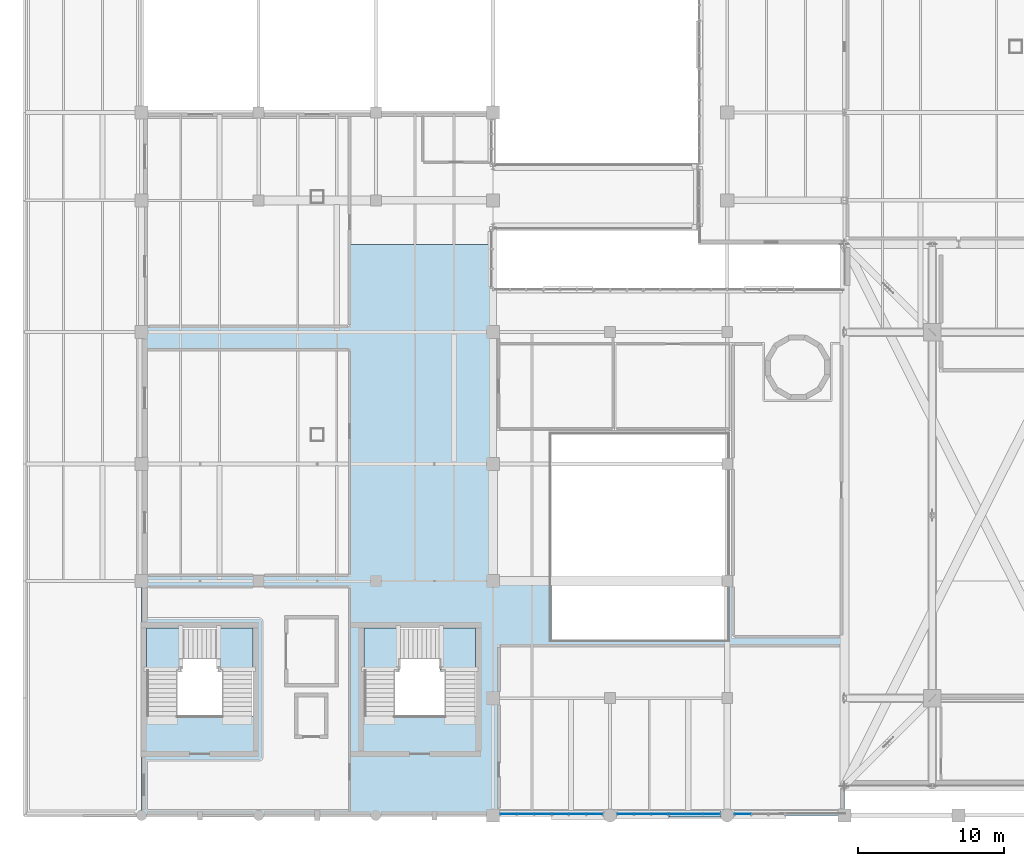
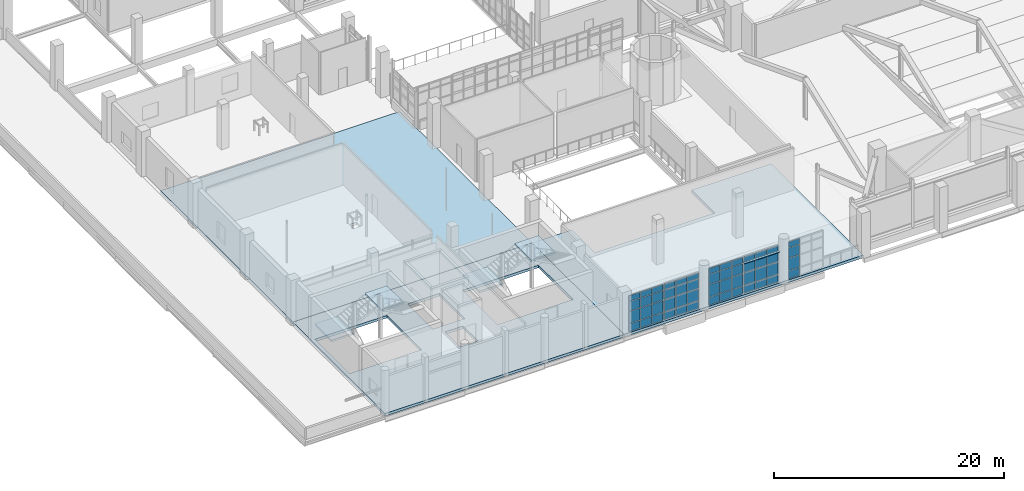
# One storey, part 84 of 127: 53 plates, 7 slabs, 7 elements without a shape of their own.
"""IFC4 building model written with IfcOpenShell, lengths in metres."""

from ifc_helpers import new_model, si_unit, derived_unit, direction, frame, origin, origin_2d, place, context, subcontext, project, spatial, polyline, rectangle, outline, extrude, material, layer, layer_set, type_object, element, aggregate, save


model = new_model("IFC4")

# Units and contexts
model_context = context("Model", 3, precision=1e-05, world=origin(), true_north=direction((0.0, 1.0)))
body_context = subcontext(model_context, "Body", "Model", "MODEL_VIEW")
ifc_project = project(units=[si_unit("LENGTHUNIT", "METRE"), si_unit("AREAUNIT", "SQUARE_METRE"), si_unit("VOLUMEUNIT", "CUBIC_METRE"), si_unit("PLANEANGLEUNIT", "RADIAN"), si_unit("MASSUNIT", "GRAM", prefix="KILO"), derived_unit("THERMALTRANSMITTANCEUNIT", [(si_unit("POWERUNIT", "WATT"), 1), (si_unit("LENGTHUNIT", "METRE"), -2), (si_unit("THERMODYNAMICTEMPERATUREUNIT", "KELVIN"), -1)])], contexts=[model_context])

# Site, building, storey
site_placement = place(None, origin())
site = spatial("IfcSite", under=ifc_project, at=site_placement, CompositionType="ELEMENT")
building_placement = place(site_placement, origin())
building = spatial("IfcBuilding", under=site, at=building_placement, Name="Nallur Shell Playhouse", CompositionType="ELEMENT")
storey_placement = place(building_placement, frame((0.0, 0.0, 5.39990234375)))
storey = spatial("IfcBuildingStorey", under=building, at=storey_placement, Name="L02", CompositionType="ELEMENT", Elevation=5.39990234375)

# Curtain wall, plates
ifc_material_1 = material(Name="Anodised Aluminium Double-Glazed Facade System", Category="aluminium")
ifc_layer_1 = layer(ifc_material_1, 0.1640625)
ifc_layer_set_1 = layer_set([ifc_layer_1], Name="Anodised Aluminium Double-Glazed Facade System")
curtain_wall_type_1 = type_object("IfcCurtainWallType", Name="CW-UNIT-19", PredefinedType="NOTDEFINED", material=ifc_layer_set_1)
curtain_wall_1_placement = place(storey_placement, origin())
curtain_wall_1 = element("IfcCurtainWall", 1, at=curtain_wall_1_placement, inside=storey, type_object=curtain_wall_type_1, Name="Unitised curtain wall CW-051 (L02)", PredefinedType="NOTDEFINED")
ifc_material_2 = material(Name="Solar-Control Low-E Laminated Insulating Glass", Category="glass")
ifc_layer_2 = layer(ifc_material_2, 0.030029296875)
ifc_layer_set_2 = layer_set([ifc_layer_2], Name="Solar-Control Low-E Laminated Insulating Glass")
plate_type_1 = type_object("IfcPlateType", Name="PT-GLZ-03", PredefinedType="CURTAIN_PANEL", material=ifc_layer_set_2)
plate_1_placement = place(storey_placement, frame((57.066162109375, 8.090087890625, 0.05712890625), z_axis=(0.0, 0.0, 1.0), x_axis=(-1.0, 0.0, 0.0)))
plate_1 = element("IfcPlate", 2, at=plate_1_placement, type_object=plate_type_1, Name="CW-19 panel 3.1", PredefinedType="CURTAIN_PANEL", context=body_context, shape_type="SweptSolid", body=[
    extrude(rectangle(XDim=1.08251953125, YDim=0.030029296875, at=origin_2d()), origin(), (0.0, 0.0, 1.0), 0.818603515625),
])
plate_2_placement = place(storey_placement, frame((57.066162109375, 8.090087890625, 0.9248046875), z_axis=(0.0, 0.0, 1.0), x_axis=(-1.0, 0.0, 0.0)))
plate_2 = element("IfcPlate", 3, at=plate_2_placement, type_object=plate_type_1, Name="CW-19 panel 3.2", PredefinedType="CURTAIN_PANEL", context=body_context, shape_type="SweptSolid", body=[
    extrude(rectangle(XDim=1.08251953125, YDim=0.030029296875, at=origin_2d()), origin(), (0.0, 0.0, 1.0), 1.299072265625),
])
plate_3_placement = place(storey_placement, frame((57.066162109375, 8.090087890625, 2.2724609375), z_axis=(0.0, 0.0, 1.0), x_axis=(-1.0, 0.0, 0.0)))
plate_3 = element("IfcPlate", 4, at=plate_3_placement, type_object=plate_type_1, Name="CW-19 panel 3.3", PredefinedType="CURTAIN_PANEL", context=body_context, shape_type="SweptSolid", body=[
    extrude(rectangle(XDim=1.08251953125, YDim=0.030029296875, at=origin_2d()), origin(), (0.0, 0.0, 1.0), 1.0380859375),
])
plate_4_placement = place(storey_placement, frame((57.066162109375, 8.090087890625, 3.35986328125), z_axis=(0.0, 0.0, 1.0), x_axis=(-1.0, 0.0, 0.0)))
plate_4 = element("IfcPlate", 5, at=plate_4_placement, type_object=plate_type_1, Name="CW-19 panel 3.4", PredefinedType="CURTAIN_PANEL", context=body_context, shape_type="SweptSolid", body=[
    extrude(rectangle(XDim=1.08251953125, YDim=0.030029296875, at=origin_2d()), origin(), (0.0, 0.0, 1.0), 0.598388671875),
])
aggregate(curtain_wall_1, [plate_1, plate_2, plate_3, plate_4])

ifc_layer_3 = layer(ifc_material_1, 0.16796875)
ifc_layer_set_3 = layer_set([ifc_layer_3], Name="Anodised Aluminium Double-Glazed Facade System")
curtain_wall_type_2 = type_object("IfcCurtainWallType", Name="CW-UNIT-20", PredefinedType="NOTDEFINED", material=ifc_layer_set_3)
curtain_wall_2_placement = place(storey_placement, origin())
curtain_wall_2 = element("IfcCurtainWall", 6, at=curtain_wall_2_placement, inside=storey, type_object=curtain_wall_type_2, Name="Unitised curtain wall CW-052 (L02)", PredefinedType="NOTDEFINED")
ifc_layer_4 = layer(ifc_material_2, 0.031982421875)
ifc_layer_set_4 = layer_set([ifc_layer_4], Name="Solar-Control Low-E Laminated Insulating Glass")
plate_type_2 = type_object("IfcPlateType", Name="PT-GLZ-04", PredefinedType="CURTAIN_PANEL", material=ifc_layer_set_4)
plate_5_placement = place(storey_placement, frame((54.936279296875, 8.090087890625, 0.092041015625), z_axis=(0.0, 0.0, 1.0), x_axis=(-1.0, 0.0, 0.0)))
plate_5 = element("IfcPlate", 7, at=plate_5_placement, type_object=plate_type_2, Name="CW-20 panel 1.1", PredefinedType="CURTAIN_PANEL", context=body_context, shape_type="SweptSolid", body=[
    extrude(rectangle(XDim=1.097412109375, YDim=0.031982421875, at=origin_2d()), origin(), (0.0, 0.0, 1.0), 0.76611328125),
])
plate_6_placement = place(storey_placement, frame((54.936279296875, 8.090087890625, 0.942138671875), z_axis=(0.0, 0.0, 1.0), x_axis=(-1.0, 0.0, 0.0)))
plate_6 = element("IfcPlate", 8, at=plate_6_placement, type_object=plate_type_2, Name="CW-20 panel 1.2", PredefinedType="CURTAIN_PANEL", context=body_context, shape_type="SweptSolid", body=[
    extrude(rectangle(XDim=1.097412109375, YDim=0.031982421875, at=origin_2d()), origin(), (0.0, 0.0, 1.0), 1.27001953125),
])
plate_7_placement = place(storey_placement, frame((54.936279296875, 8.090087890625, 2.2958984375), z_axis=(0.0, 0.0, 1.0), x_axis=(-1.0, 0.0, 0.0)))
plate_7 = element("IfcPlate", 9, at=plate_7_placement, type_object=plate_type_2, Name="CW-20 panel 1.3", PredefinedType="CURTAIN_PANEL", context=body_context, shape_type="SweptSolid", body=[
    extrude(rectangle(XDim=1.097412109375, YDim=0.031982421875, at=origin_2d()), origin(), (0.0, 0.0, 1.0), 1.007080078125),
])
plate_8_placement = place(storey_placement, frame((54.936279296875, 8.090087890625, 3.38720703125), z_axis=(0.0, 0.0, 1.0), x_axis=(-1.0, 0.0, 0.0)))
plate_8 = element("IfcPlate", 10, at=plate_8_placement, type_object=plate_type_2, Name="CW-20 panel 1.4", PredefinedType="CURTAIN_PANEL", context=body_context, shape_type="SweptSolid", body=[
    extrude(rectangle(XDim=1.097412109375, YDim=0.031982421875, at=origin_2d()), origin(), (0.0, 0.0, 1.0), 0.5458984375),
])
plate_9_placement = place(storey_placement, frame((53.7734375, 8.090087890625, 0.092041015625), z_axis=(0.0, 0.0, 1.0), x_axis=(-1.0, 0.0, 0.0)))
plate_9 = element("IfcPlate", 11, at=plate_9_placement, type_object=plate_type_2, Name="CW-20 panel 2.1", PredefinedType="CURTAIN_PANEL", context=body_context, shape_type="SweptSolid", body=[
    extrude(rectangle(XDim=1.1298828125, YDim=0.031982421875, at=origin_2d()), origin(), (0.0, 0.0, 1.0), 0.76611328125),
])
plate_10_placement = place(storey_placement, frame((53.7734375, 8.090087890625, 0.942138671875), z_axis=(0.0, 0.0, 1.0), x_axis=(-1.0, 0.0, 0.0)))
plate_10 = element("IfcPlate", 12, at=plate_10_placement, type_object=plate_type_2, Name="CW-20 panel 2.2", PredefinedType="CURTAIN_PANEL", context=body_context, shape_type="SweptSolid", body=[
    extrude(rectangle(XDim=1.1298828125, YDim=0.031982421875, at=origin_2d()), origin(), (0.0, 0.0, 1.0), 1.27001953125),
])
plate_11_placement = place(storey_placement, frame((53.7734375, 8.090087890625, 2.2958984375), z_axis=(0.0, 0.0, 1.0), x_axis=(-1.0, 0.0, 0.0)))
plate_11 = element("IfcPlate", 13, at=plate_11_placement, type_object=plate_type_2, Name="CW-20 panel 2.3", PredefinedType="CURTAIN_PANEL", context=body_context, shape_type="SweptSolid", body=[
    extrude(rectangle(XDim=1.1298828125, YDim=0.031982421875, at=origin_2d()), origin(), (0.0, 0.0, 1.0), 1.007080078125),
])
plate_12_placement = place(storey_placement, frame((53.7734375, 8.090087890625, 3.38720703125), z_axis=(0.0, 0.0, 1.0), x_axis=(-1.0, 0.0, 0.0)))
plate_12 = element("IfcPlate", 14, at=plate_12_placement, type_object=plate_type_2, Name="CW-20 panel 2.4", PredefinedType="CURTAIN_PANEL", context=body_context, shape_type="SweptSolid", body=[
    extrude(rectangle(XDim=1.1298828125, YDim=0.031982421875, at=origin_2d()), origin(), (0.0, 0.0, 1.0), 0.5458984375),
])
plate_13_placement = place(storey_placement, frame((52.61083984375, 8.090087890625, 0.092041015625), z_axis=(0.0, 0.0, 1.0), x_axis=(-1.0, 0.0, 0.0)))
plate_13 = element("IfcPlate", 15, at=plate_13_placement, type_object=plate_type_2, Name="CW-20 panel 3.1", PredefinedType="CURTAIN_PANEL", context=body_context, shape_type="SweptSolid", body=[
    extrude(rectangle(XDim=1.097412109375, YDim=0.031982421875, at=origin_2d()), origin(), (0.0, 0.0, 1.0), 0.76611328125),
])
plate_14_placement = place(storey_placement, frame((52.61083984375, 8.090087890625, 0.942138671875), z_axis=(0.0, 0.0, 1.0), x_axis=(-1.0, 0.0, 0.0)))
plate_14 = element("IfcPlate", 16, at=plate_14_placement, type_object=plate_type_2, Name="CW-20 panel 3.2", PredefinedType="CURTAIN_PANEL", context=body_context, shape_type="SweptSolid", body=[
    extrude(rectangle(XDim=1.097412109375, YDim=0.031982421875, at=origin_2d()), origin(), (0.0, 0.0, 1.0), 1.27001953125),
])
plate_15_placement = place(storey_placement, frame((52.61083984375, 8.090087890625, 2.2958984375), z_axis=(0.0, 0.0, 1.0), x_axis=(-1.0, 0.0, 0.0)))
plate_15 = element("IfcPlate", 17, at=plate_15_placement, type_object=plate_type_2, Name="CW-20 panel 3.3", PredefinedType="CURTAIN_PANEL", context=body_context, shape_type="SweptSolid", body=[
    extrude(rectangle(XDim=1.097412109375, YDim=0.031982421875, at=origin_2d()), origin(), (0.0, 0.0, 1.0), 1.007080078125),
])
plate_16_placement = place(storey_placement, frame((52.61083984375, 8.090087890625, 3.38720703125), z_axis=(0.0, 0.0, 1.0), x_axis=(-1.0, 0.0, 0.0)))
plate_16 = element("IfcPlate", 18, at=plate_16_placement, type_object=plate_type_2, Name="CW-20 panel 3.4", PredefinedType="CURTAIN_PANEL", context=body_context, shape_type="SweptSolid", body=[
    extrude(rectangle(XDim=1.097412109375, YDim=0.031982421875, at=origin_2d()), origin(), (0.0, 0.0, 1.0), 0.5458984375),
])
aggregate(curtain_wall_2, [plate_5, plate_6, plate_7, plate_8, plate_9, plate_10, plate_11, plate_12, plate_13, plate_14, plate_15, plate_16])

ifc_layer_5 = layer(ifc_material_1, 0.172119140625)
ifc_layer_set_5 = layer_set([ifc_layer_5], Name="Anodised Aluminium Double-Glazed Facade System")
curtain_wall_type_3 = type_object("IfcCurtainWallType", Name="CW-UNIT-21", PredefinedType="NOTDEFINED", material=ifc_layer_set_5)
curtain_wall_3_placement = place(storey_placement, origin())
curtain_wall_3 = element("IfcCurtainWall", 19, at=curtain_wall_3_placement, inside=storey, type_object=curtain_wall_type_3, Name="Unitised curtain wall CW-053 (L02)", PredefinedType="NOTDEFINED")
ifc_layer_6 = layer(ifc_material_2, 0.033935546875)
ifc_layer_set_6 = layer_set([ifc_layer_6], Name="Solar-Control Low-E Laminated Insulating Glass")
plate_type_3 = type_object("IfcPlateType", Name="PT-GLZ-05", PredefinedType="CURTAIN_PANEL", material=ifc_layer_set_6)
plate_17_placement = place(storey_placement, frame((51.385498046875, 8.090087890625, 0.05712890625), z_axis=(0.0, 0.0, 1.0), x_axis=(-1.0, 0.0, 0.0)))
plate_17 = element("IfcPlate", 20, at=plate_17_placement, type_object=plate_type_3, Name="CW-21 panel 1.1", PredefinedType="CURTAIN_PANEL", context=body_context, shape_type="SweptSolid", body=[
    extrude(rectangle(XDim=1.074951171875, YDim=0.033935546875, at=origin_2d()), origin(), (0.0, 0.0, 1.0), 0.818603515625),
])
plate_18_placement = place(storey_placement, frame((51.385498046875, 8.090087890625, 0.924560546875), z_axis=(0.0, 0.0, 1.0), x_axis=(-1.0, 0.0, 0.0)))
plate_18 = element("IfcPlate", 21, at=plate_18_placement, type_object=plate_type_3, Name="CW-21 panel 1.2", PredefinedType="CURTAIN_PANEL", context=body_context, shape_type="SweptSolid", body=[
    extrude(rectangle(XDim=1.074951171875, YDim=0.033935546875, at=origin_2d()), origin(), (0.0, 0.0, 1.0), 1.2939453125),
])
plate_19_placement = place(storey_placement, frame((51.385498046875, 8.090087890625, 2.267578125), z_axis=(0.0, 0.0, 1.0), x_axis=(-1.0, 0.0, 0.0)))
plate_19 = element("IfcPlate", 22, at=plate_19_placement, type_object=plate_type_3, Name="CW-21 panel 1.3", PredefinedType="CURTAIN_PANEL", context=body_context, shape_type="SweptSolid", body=[
    extrude(rectangle(XDim=1.074951171875, YDim=0.033935546875, at=origin_2d()), origin(), (0.0, 0.0, 1.0), 1.032958984375),
])
plate_20_placement = place(storey_placement, frame((51.385498046875, 8.090087890625, 3.349609375), z_axis=(0.0, 0.0, 1.0), x_axis=(-1.0, 0.0, 0.0)))
plate_20 = element("IfcPlate", 23, at=plate_20_placement, type_object=plate_type_3, Name="CW-21 panel 1.4", PredefinedType="CURTAIN_PANEL", context=body_context, shape_type="SweptSolid", body=[
    extrude(rectangle(XDim=1.074951171875, YDim=0.033935546875, at=origin_2d()), origin(), (0.0, 0.0, 1.0), 0.598388671875),
])
plate_21_placement = place(storey_placement, frame((50.2265625, 8.090087890625, 0.05712890625), z_axis=(0.0, 0.0, 1.0), x_axis=(-1.0, 0.0, 0.0)))
plate_21 = element("IfcPlate", 24, at=plate_21_placement, type_object=plate_type_3, Name="CW-21 panel 2.1", PredefinedType="CURTAIN_PANEL", context=body_context, shape_type="SweptSolid", body=[
    extrude(rectangle(XDim=1.114990234375, YDim=0.033935546875, at=origin_2d()), origin(), (0.0, 0.0, 1.0), 0.818603515625),
])
plate_22_placement = place(storey_placement, frame((50.2265625, 8.090087890625, 0.924560546875), z_axis=(0.0, 0.0, 1.0), x_axis=(-1.0, 0.0, 0.0)))
plate_22 = element("IfcPlate", 25, at=plate_22_placement, type_object=plate_type_3, Name="CW-21 panel 2.2", PredefinedType="CURTAIN_PANEL", context=body_context, shape_type="SweptSolid", body=[
    extrude(rectangle(XDim=1.114990234375, YDim=0.033935546875, at=origin_2d()), origin(), (0.0, 0.0, 1.0), 1.2939453125),
])
plate_23_placement = place(storey_placement, frame((50.2265625, 8.090087890625, 2.267578125), z_axis=(0.0, 0.0, 1.0), x_axis=(-1.0, 0.0, 0.0)))
plate_23 = element("IfcPlate", 26, at=plate_23_placement, type_object=plate_type_3, Name="CW-21 panel 2.3", PredefinedType="CURTAIN_PANEL", context=body_context, shape_type="SweptSolid", body=[
    extrude(rectangle(XDim=1.114990234375, YDim=0.033935546875, at=origin_2d()), origin(), (0.0, 0.0, 1.0), 1.032958984375),
])
plate_24_placement = place(storey_placement, frame((50.2265625, 8.090087890625, 3.349609375), z_axis=(0.0, 0.0, 1.0), x_axis=(-1.0, 0.0, 0.0)))
plate_24 = element("IfcPlate", 27, at=plate_24_placement, type_object=plate_type_3, Name="CW-21 panel 2.4", PredefinedType="CURTAIN_PANEL", context=body_context, shape_type="SweptSolid", body=[
    extrude(rectangle(XDim=1.114990234375, YDim=0.033935546875, at=origin_2d()), origin(), (0.0, 0.0, 1.0), 0.598388671875),
])
plate_25_placement = place(storey_placement, frame((49.0673828125, 8.090087890625, 0.05712890625), z_axis=(0.0, 0.0, 1.0), x_axis=(-1.0, 0.0, 0.0)))
plate_25 = element("IfcPlate", 28, at=plate_25_placement, type_object=plate_type_3, Name="CW-21 panel 3.1", PredefinedType="CURTAIN_PANEL", context=body_context, shape_type="SweptSolid", body=[
    extrude(rectangle(XDim=1.074951171875, YDim=0.033935546875, at=origin_2d()), origin(), (0.0, 0.0, 1.0), 0.818603515625),
])
plate_26_placement = place(storey_placement, frame((49.0673828125, 8.090087890625, 0.924560546875), z_axis=(0.0, 0.0, 1.0), x_axis=(-1.0, 0.0, 0.0)))
plate_26 = element("IfcPlate", 29, at=plate_26_placement, type_object=plate_type_3, Name="CW-21 panel 3.2", PredefinedType="CURTAIN_PANEL", context=body_context, shape_type="SweptSolid", body=[
    extrude(rectangle(XDim=1.074951171875, YDim=0.033935546875, at=origin_2d()), origin(), (0.0, 0.0, 1.0), 1.2939453125),
])
plate_27_placement = place(storey_placement, frame((49.0673828125, 8.090087890625, 2.267578125), z_axis=(0.0, 0.0, 1.0), x_axis=(-1.0, 0.0, 0.0)))
plate_27 = element("IfcPlate", 30, at=plate_27_placement, type_object=plate_type_3, Name="CW-21 panel 3.3", PredefinedType="CURTAIN_PANEL", context=body_context, shape_type="SweptSolid", body=[
    extrude(rectangle(XDim=1.074951171875, YDim=0.033935546875, at=origin_2d()), origin(), (0.0, 0.0, 1.0), 1.032958984375),
])
plate_28_placement = place(storey_placement, frame((49.0673828125, 8.090087890625, 3.349609375), z_axis=(0.0, 0.0, 1.0), x_axis=(-1.0, 0.0, 0.0)))
plate_28 = element("IfcPlate", 31, at=plate_28_placement, type_object=plate_type_3, Name="CW-21 panel 3.4", PredefinedType="CURTAIN_PANEL", context=body_context, shape_type="SweptSolid", body=[
    extrude(rectangle(XDim=1.074951171875, YDim=0.033935546875, at=origin_2d()), origin(), (0.0, 0.0, 1.0), 0.598388671875),
])
aggregate(curtain_wall_3, [plate_17, plate_18, plate_19, plate_20, plate_21, plate_22, plate_23, plate_24, plate_25, plate_26, plate_27, plate_28])

ifc_layer_7 = layer(ifc_material_1, 0.176025390625)
ifc_layer_set_7 = layer_set([ifc_layer_7], Name="Anodised Aluminium Double-Glazed Facade System")
curtain_wall_type_4 = type_object("IfcCurtainWallType", Name="CW-UNIT-22", PredefinedType="NOTDEFINED", material=ifc_layer_set_7)
curtain_wall_4_placement = place(storey_placement, origin())
curtain_wall_4 = element("IfcCurtainWall", 32, at=curtain_wall_4_placement, inside=storey, type_object=curtain_wall_type_4, Name="Unitised curtain wall CW-054 (L02)", PredefinedType="NOTDEFINED")
ifc_layer_8 = layer(ifc_material_2, 0.035888671875)
ifc_layer_set_8 = layer_set([ifc_layer_8], Name="Solar-Control Low-E Laminated Insulating Glass")
plate_type_4 = type_object("IfcPlateType", Name="PT-GLZ-06", PredefinedType="CURTAIN_PANEL", material=ifc_layer_set_8)
plate_29_placement = place(storey_placement, frame((46.933837890625, 8.090087890625, 0.092041015625), z_axis=(0.0, 0.0, 1.0), x_axis=(-1.0, 0.0, 0.0)))
plate_29 = element("IfcPlate", 33, at=plate_29_placement, type_object=plate_type_4, Name="CW-22 panel 1.1", PredefinedType="CURTAIN_PANEL", context=body_context, shape_type="SweptSolid", body=[
    extrude(rectangle(XDim=1.08251953125, YDim=0.035888671875, at=origin_2d()), origin(), (0.0, 0.0, 1.0), 0.76611328125),
])
plate_30_placement = place(storey_placement, frame((46.933837890625, 8.090087890625, 0.94189453125), z_axis=(0.0, 0.0, 1.0), x_axis=(-1.0, 0.0, 0.0)))
plate_30 = element("IfcPlate", 34, at=plate_30_placement, type_object=plate_type_4, Name="CW-22 panel 1.2", PredefinedType="CURTAIN_PANEL", context=body_context, shape_type="SweptSolid", body=[
    extrude(rectangle(XDim=1.08251953125, YDim=0.035888671875, at=origin_2d()), origin(), (0.0, 0.0, 1.0), 1.219970703125),
])
plate_31_placement = place(storey_placement, frame((46.933837890625, 8.090087890625, 2.24609375), z_axis=(0.0, 0.0, 1.0), x_axis=(-1.0, 0.0, 0.0)))
plate_31 = element("IfcPlate", 35, at=plate_31_placement, type_object=plate_type_4, Name="CW-22 panel 1.3", PredefinedType="CURTAIN_PANEL", context=body_context, shape_type="SweptSolid", body=[
    extrude(rectangle(XDim=1.08251953125, YDim=0.035888671875, at=origin_2d()), origin(), (0.0, 0.0, 1.0), 0.967041015625),
])
plate_32_placement = place(storey_placement, frame((46.933837890625, 8.090087890625, 3.297119140625), z_axis=(0.0, 0.0, 1.0), x_axis=(-1.0, 0.0, 0.0)))
plate_32 = element("IfcPlate", 36, at=plate_32_placement, type_object=plate_type_4, Name="CW-22 panel 1.4", PredefinedType="CURTAIN_PANEL", context=body_context, shape_type="SweptSolid", body=[
    extrude(rectangle(XDim=1.08251953125, YDim=0.035888671875, at=origin_2d()), origin(), (0.0, 0.0, 1.0), 0.5458984375),
])
plate_33_placement = place(storey_placement, frame((45.7734375, 8.090087890625, 0.092041015625), z_axis=(0.0, 0.0, 1.0), x_axis=(-1.0, 0.0, 0.0)))
plate_33 = element("IfcPlate", 37, at=plate_33_placement, type_object=plate_type_4, Name="CW-22 panel 2.1", PredefinedType="CURTAIN_PANEL", context=body_context, shape_type="SweptSolid", body=[
    extrude(rectangle(XDim=1.1201171875, YDim=0.035888671875, at=origin_2d()), origin(), (0.0, 0.0, 1.0), 0.76611328125),
])
plate_34_placement = place(storey_placement, frame((45.7734375, 8.090087890625, 0.94189453125), z_axis=(0.0, 0.0, 1.0), x_axis=(-1.0, 0.0, 0.0)))
plate_34 = element("IfcPlate", 38, at=plate_34_placement, type_object=plate_type_4, Name="CW-22 panel 2.2", PredefinedType="CURTAIN_PANEL", context=body_context, shape_type="SweptSolid", body=[
    extrude(rectangle(XDim=1.1201171875, YDim=0.035888671875, at=origin_2d()), origin(), (0.0, 0.0, 1.0), 1.219970703125),
])
plate_35_placement = place(storey_placement, frame((45.7734375, 8.090087890625, 2.24609375), z_axis=(0.0, 0.0, 1.0), x_axis=(-1.0, 0.0, 0.0)))
plate_35 = element("IfcPlate", 39, at=plate_35_placement, type_object=plate_type_4, Name="CW-22 panel 2.3", PredefinedType="CURTAIN_PANEL", context=body_context, shape_type="SweptSolid", body=[
    extrude(rectangle(XDim=1.1201171875, YDim=0.035888671875, at=origin_2d()), origin(), (0.0, 0.0, 1.0), 0.967041015625),
])
plate_36_placement = place(storey_placement, frame((45.7734375, 8.090087890625, 3.297119140625), z_axis=(0.0, 0.0, 1.0), x_axis=(-1.0, 0.0, 0.0)))
plate_36 = element("IfcPlate", 40, at=plate_36_placement, type_object=plate_type_4, Name="CW-22 panel 2.4", PredefinedType="CURTAIN_PANEL", context=body_context, shape_type="SweptSolid", body=[
    extrude(rectangle(XDim=1.1201171875, YDim=0.035888671875, at=origin_2d()), origin(), (0.0, 0.0, 1.0), 0.5458984375),
])
plate_37_placement = place(storey_placement, frame((44.61328125, 8.090087890625, 0.092041015625), z_axis=(0.0, 0.0, 1.0), x_axis=(-1.0, 0.0, 0.0)))
plate_37 = element("IfcPlate", 41, at=plate_37_placement, type_object=plate_type_4, Name="CW-22 panel 3.1", PredefinedType="CURTAIN_PANEL", context=body_context, shape_type="SweptSolid", body=[
    extrude(rectangle(XDim=1.08251953125, YDim=0.035888671875, at=origin_2d()), origin(), (0.0, 0.0, 1.0), 0.76611328125),
])
plate_38_placement = place(storey_placement, frame((44.61328125, 8.090087890625, 0.94189453125), z_axis=(0.0, 0.0, 1.0), x_axis=(-1.0, 0.0, 0.0)))
plate_38 = element("IfcPlate", 42, at=plate_38_placement, type_object=plate_type_4, Name="CW-22 panel 3.2", PredefinedType="CURTAIN_PANEL", context=body_context, shape_type="SweptSolid", body=[
    extrude(rectangle(XDim=1.08251953125, YDim=0.035888671875, at=origin_2d()), origin(), (0.0, 0.0, 1.0), 1.219970703125),
])
plate_39_placement = place(storey_placement, frame((44.61328125, 8.090087890625, 2.24609375), z_axis=(0.0, 0.0, 1.0), x_axis=(-1.0, 0.0, 0.0)))
plate_39 = element("IfcPlate", 43, at=plate_39_placement, type_object=plate_type_4, Name="CW-22 panel 3.3", PredefinedType="CURTAIN_PANEL", context=body_context, shape_type="SweptSolid", body=[
    extrude(rectangle(XDim=1.08251953125, YDim=0.035888671875, at=origin_2d()), origin(), (0.0, 0.0, 1.0), 0.967041015625),
])
plate_40_placement = place(storey_placement, frame((44.61328125, 8.090087890625, 3.297119140625), z_axis=(0.0, 0.0, 1.0), x_axis=(-1.0, 0.0, 0.0)))
plate_40 = element("IfcPlate", 44, at=plate_40_placement, type_object=plate_type_4, Name="CW-22 panel 3.4", PredefinedType="CURTAIN_PANEL", context=body_context, shape_type="SweptSolid", body=[
    extrude(rectangle(XDim=1.08251953125, YDim=0.035888671875, at=origin_2d()), origin(), (0.0, 0.0, 1.0), 0.5458984375),
])
aggregate(curtain_wall_4, [plate_29, plate_30, plate_31, plate_32, plate_33, plate_34, plate_35, plate_36, plate_37, plate_38, plate_39, plate_40])

ifc_layer_9 = layer(ifc_material_1, 0.179931640625)
ifc_layer_set_9 = layer_set([ifc_layer_9], Name="Anodised Aluminium Double-Glazed Facade System")
curtain_wall_type_5 = type_object("IfcCurtainWallType", Name="CW-UNIT-23", PredefinedType="NOTDEFINED", material=ifc_layer_set_9)
curtain_wall_5_placement = place(storey_placement, origin())
curtain_wall_5 = element("IfcCurtainWall", 45, at=curtain_wall_5_placement, inside=storey, type_object=curtain_wall_type_5, Name="Unitised curtain wall CW-055 (L02)", PredefinedType="NOTDEFINED")
ifc_layer_10 = layer(ifc_material_2, 0.0380859375)
ifc_layer_set_10 = layer_set([ifc_layer_10], Name="Solar-Control Low-E Laminated Insulating Glass")
plate_type_5 = type_object("IfcPlateType", Name="PT-GLZ-07", PredefinedType="CURTAIN_PANEL", material=ifc_layer_set_10)
plate_41_placement = place(storey_placement, frame((43.38916015625, 8.090087890625, 0.05712890625), z_axis=(0.0, 0.0, 1.0), x_axis=(-1.0, 0.0, 0.0)))
plate_41 = element("IfcPlate", 46, at=plate_41_placement, type_object=plate_type_5, Name="CW-23 panel 1.1", PredefinedType="CURTAIN_PANEL", context=body_context, shape_type="SweptSolid", body=[
    extrude(rectangle(XDim=1.097412109375, YDim=0.0380859375, at=origin_2d()), origin(), (0.0, 0.0, 1.0), 0.818603515625),
])
plate_42_placement = place(storey_placement, frame((43.38916015625, 8.090087890625, 0.9248046875), z_axis=(0.0, 0.0, 1.0), x_axis=(-1.0, 0.0, 0.0)))
plate_42 = element("IfcPlate", 47, at=plate_42_placement, type_object=plate_type_5, Name="CW-23 panel 1.2", PredefinedType="CURTAIN_PANEL", context=body_context, shape_type="SweptSolid", body=[
    extrude(rectangle(XDim=1.097412109375, YDim=0.0380859375, at=origin_2d()), origin(), (0.0, 0.0, 1.0), 1.242919921875),
])
plate_43_placement = place(storey_placement, frame((43.38916015625, 8.090087890625, 2.216796875), z_axis=(0.0, 0.0, 1.0), x_axis=(-1.0, 0.0, 0.0)))
plate_43 = element("IfcPlate", 48, at=plate_43_placement, type_object=plate_type_5, Name="CW-23 panel 1.3", PredefinedType="CURTAIN_PANEL", context=body_context, shape_type="SweptSolid", body=[
    extrude(rectangle(XDim=1.097412109375, YDim=0.0380859375, at=origin_2d()), origin(), (0.0, 0.0, 1.0), 0.993896484375),
])
plate_44_placement = place(storey_placement, frame((43.38916015625, 8.090087890625, 3.259765625), z_axis=(0.0, 0.0, 1.0), x_axis=(-1.0, 0.0, 0.0)))
plate_44 = element("IfcPlate", 49, at=plate_44_placement, type_object=plate_type_5, Name="CW-23 panel 1.4", PredefinedType="CURTAIN_PANEL", context=body_context, shape_type="SweptSolid", body=[
    extrude(rectangle(XDim=1.097412109375, YDim=0.0380859375, at=origin_2d()), origin(), (0.0, 0.0, 1.0), 0.598388671875),
])
plate_45_placement = place(storey_placement, frame((42.2265625, 8.090087890625, 0.05712890625), z_axis=(0.0, 0.0, 1.0), x_axis=(-1.0, 0.0, 0.0)))
plate_45 = element("IfcPlate", 50, at=plate_45_placement, type_object=plate_type_5, Name="CW-23 panel 2.1", PredefinedType="CURTAIN_PANEL", context=body_context, shape_type="SweptSolid", body=[
    extrude(rectangle(XDim=1.1298828125, YDim=0.0380859375, at=origin_2d()), origin(), (0.0, 0.0, 1.0), 0.818603515625),
])
plate_46_placement = place(storey_placement, frame((42.2265625, 8.090087890625, 0.9248046875), z_axis=(0.0, 0.0, 1.0), x_axis=(-1.0, 0.0, 0.0)))
plate_46 = element("IfcPlate", 51, at=plate_46_placement, type_object=plate_type_5, Name="CW-23 panel 2.2", PredefinedType="CURTAIN_PANEL", context=body_context, shape_type="SweptSolid", body=[
    extrude(rectangle(XDim=1.1298828125, YDim=0.0380859375, at=origin_2d()), origin(), (0.0, 0.0, 1.0), 1.242919921875),
])
plate_47_placement = place(storey_placement, frame((42.2265625, 8.090087890625, 2.216796875), z_axis=(0.0, 0.0, 1.0), x_axis=(-1.0, 0.0, 0.0)))
plate_47 = element("IfcPlate", 52, at=plate_47_placement, type_object=plate_type_5, Name="CW-23 panel 2.3", PredefinedType="CURTAIN_PANEL", context=body_context, shape_type="SweptSolid", body=[
    extrude(rectangle(XDim=1.1298828125, YDim=0.0380859375, at=origin_2d()), origin(), (0.0, 0.0, 1.0), 0.993896484375),
])
plate_48_placement = place(storey_placement, frame((42.2265625, 8.090087890625, 3.259765625), z_axis=(0.0, 0.0, 1.0), x_axis=(-1.0, 0.0, 0.0)))
plate_48 = element("IfcPlate", 53, at=plate_48_placement, type_object=plate_type_5, Name="CW-23 panel 2.4", PredefinedType="CURTAIN_PANEL", context=body_context, shape_type="SweptSolid", body=[
    extrude(rectangle(XDim=1.1298828125, YDim=0.0380859375, at=origin_2d()), origin(), (0.0, 0.0, 1.0), 0.598388671875),
])
plate_49_placement = place(storey_placement, frame((41.063720703125, 8.090087890625, 0.05712890625), z_axis=(0.0, 0.0, 1.0), x_axis=(-1.0, 0.0, 0.0)))
plate_49 = element("IfcPlate", 54, at=plate_49_placement, type_object=plate_type_5, Name="CW-23 panel 3.1", PredefinedType="CURTAIN_PANEL", context=body_context, shape_type="SweptSolid", body=[
    extrude(rectangle(XDim=1.097412109375, YDim=0.0380859375, at=origin_2d()), origin(), (0.0, 0.0, 1.0), 0.818603515625),
])
plate_50_placement = place(storey_placement, frame((41.063720703125, 8.090087890625, 0.9248046875), z_axis=(0.0, 0.0, 1.0), x_axis=(-1.0, 0.0, 0.0)))
plate_50 = element("IfcPlate", 55, at=plate_50_placement, type_object=plate_type_5, Name="CW-23 panel 3.2", PredefinedType="CURTAIN_PANEL", context=body_context, shape_type="SweptSolid", body=[
    extrude(rectangle(XDim=1.097412109375, YDim=0.0380859375, at=origin_2d()), origin(), (0.0, 0.0, 1.0), 1.242919921875),
])
plate_51_placement = place(storey_placement, frame((41.063720703125, 8.090087890625, 2.216796875), z_axis=(0.0, 0.0, 1.0), x_axis=(-1.0, 0.0, 0.0)))
plate_51 = element("IfcPlate", 56, at=plate_51_placement, type_object=plate_type_5, Name="CW-23 panel 3.3", PredefinedType="CURTAIN_PANEL", context=body_context, shape_type="SweptSolid", body=[
    extrude(rectangle(XDim=1.097412109375, YDim=0.0380859375, at=origin_2d()), origin(), (0.0, 0.0, 1.0), 0.993896484375),
])
plate_52_placement = place(storey_placement, frame((41.063720703125, 8.090087890625, 3.259765625), z_axis=(0.0, 0.0, 1.0), x_axis=(-1.0, 0.0, 0.0)))
plate_52 = element("IfcPlate", 57, at=plate_52_placement, type_object=plate_type_5, Name="CW-23 panel 3.4", PredefinedType="CURTAIN_PANEL", context=body_context, shape_type="SweptSolid", body=[
    extrude(rectangle(XDim=1.097412109375, YDim=0.0380859375, at=origin_2d()), origin(), (0.0, 0.0, 1.0), 0.598388671875),
])
aggregate(curtain_wall_5, [plate_41, plate_42, plate_43, plate_44, plate_45, plate_46, plate_47, plate_48, plate_49, plate_50, plate_51, plate_52])

# Plate
ifc_material_3 = material(Name="Terracotta & Gold-Anodised Monsoon Sunshade Blade", Category="masonry")
ifc_layer_11 = layer(ifc_material_3, 0.044921875)
ifc_layer_set_11 = layer_set([ifc_layer_11], Name="Terracotta & Gold-Anodised Monsoon Sunshade Blade")
plate_type_6 = type_object("IfcPlateType", Name="PT-LOUVRE-01", PredefinedType="USERDEFINED", material=ifc_layer_set_11)
plate_53_placement = place(storey_placement, frame((53.7734375, 8.090087890625, 3.32275390625), z_axis=(0.0, 0.0, 1.0), x_axis=(-1.0, 0.0, 0.0)))
element("IfcPlate", 58, at=plate_53_placement, inside=storey, type_object=plate_type_6, Name="Monsoon sunshade louvre blade LV-013", ObjectType="SUNSHADE LOUVRE", PredefinedType="USERDEFINED", context=body_context, shape_type="SweptSolid", body=[
    extrude(rectangle(XDim=3.4970703125, YDim=0.419921875, at=origin_2d()), origin(), (0.0, 0.0, 1.0), 0.044921875),
])

# Stair, slabs
ifc_material_4 = material(Name="Concrete M35", Category="concrete")
stair_type = type_object("IfcStairType", Name="ST-CORE-48", PredefinedType="QUARTER_TURN_STAIR", material=ifc_material_4)
stair_1_placement = place(storey_placement, origin())
stair_1 = element("IfcStair", 59, at=stair_1_placement, inside=storey, type_object=stair_type, Name="Core JC-1 exit stair ST-01-L02 (L02 to L03)", PredefinedType="QUARTER_TURN_STAIR")
ifc_layer_12 = layer(ifc_material_4, 0.199951171875)
ifc_layer_set_12 = layer_set([ifc_layer_12], Name="Concrete M35")
slab_type_1 = type_object("IfcSlabType", Name="SL-LANDING-200", PredefinedType="LANDING", material=ifc_layer_set_12)
slab_1_placement = place(storey_placement, frame((0.0, 0.0, 1.4501953125)))
slab_1 = element("IfcSlab", 60, at=slab_1_placement, type_object=slab_type_1, Name="ST-48 landing 1", PredefinedType="LANDING", context=body_context, shape_type="SweptSolid", body=[
    extrude(outline(polyline([(31.199951171875, 17.89990234375), (33.60498046875, 17.89990234375), (33.60498046875, 20.800048828125), (31.199951171875, 20.800048828125), (31.199951171875, 17.89990234375)])), origin(), (0.0, 0.0, 1.0), 0.199951171875),
])
slab_2_placement = place(storey_placement, frame((0.0, 0.0, 2.9501953125)))
slab_2 = element("IfcSlab", 61, at=slab_2_placement, type_object=slab_type_1, Name="ST-48 landing 2", PredefinedType="LANDING", context=body_context, shape_type="SweptSolid", body=[
    extrude(outline(polyline([(36.39501953125, 17.89990234375), (38.800048828125, 17.89990234375), (38.800048828125, 20.800048828125), (36.39501953125, 20.800048828125), (36.39501953125, 17.89990234375)])), origin(), (0.0, 0.0, 1.0), 0.199951171875),
])
aggregate(stair_1, [slab_1, slab_2])

stair_2_placement = place(storey_placement, origin())
stair_2 = element("IfcStair", 62, at=stair_2_placement, inside=storey, type_object=stair_type, Name="Core JC-7 exit stair ST-07-L02 (L02 to L03)", PredefinedType="QUARTER_TURN_STAIR")
slab_3_placement = place(storey_placement, frame((0.0, 0.0, 1.4501953125)))
slab_3 = element("IfcSlab", 63, at=slab_3_placement, type_object=slab_type_1, Name="ST-48 landing 1", PredefinedType="LANDING", context=body_context, shape_type="SweptSolid", body=[
    extrude(outline(polyline([(16.35009765625, 17.89990234375), (18.580078125, 17.89990234375), (18.580078125, 20.800048828125), (16.35009765625, 20.800048828125), (16.35009765625, 17.89990234375)])), origin(), (0.0, 0.0, 1.0), 0.199951171875),
])
slab_4_placement = place(storey_placement, frame((0.0, 0.0, 2.9501953125)))
slab_4 = element("IfcSlab", 64, at=slab_4_placement, type_object=slab_type_1, Name="ST-48 landing 2", PredefinedType="LANDING", context=body_context, shape_type="SweptSolid", body=[
    extrude(outline(polyline([(21.3701171875, 17.89990234375), (23.60009765625, 17.89990234375), (23.60009765625, 20.800048828125), (21.3701171875, 20.800048828125), (21.3701171875, 17.89990234375)])), origin(), (0.0, 0.0, 1.0), 0.199951171875),
])
aggregate(stair_2, [slab_3, slab_4])

# Slabs
ifc_material_5 = material(Name="Concrete M40", Category="concrete")
ifc_layer_13 = layer(ifc_material_5, 0.280029296875)
ifc_layer_set_13 = layer_set([ifc_layer_13], Name="Concrete M40")
slab_type_2 = type_object("IfcSlabType", Name="SL-TRANS-280", PredefinedType="FLOOR", material=ifc_layer_set_13)
slab_5_placement = place(storey_placement, frame((0.0, 0.0, -0.27978515625)))
element("IfcSlab", 65, at=slab_5_placement, inside=storey, type_object=slab_type_2, Name="L02 structural floor slab panel 01", PredefinedType="FLOOR", context=body_context, shape_type="SweptSolid", body=[
    extrude(outline(polyline([(16.0, 8.0), (16.0, 24.0), (40.0, 24.0), (40.0, 8.0), (16.0, 8.0)]), holes=[polyline([(26.699951171875, 16.10009765625), (26.699951171875, 13.5), (28.5, 13.5), (28.5, 16.10009765625), (26.699951171875, 16.10009765625)]), polyline([(23.60009765625, 20.800048828125), (16.35009765625, 20.800048828125), (16.35009765625, 14.800048828125), (23.60009765625, 14.800048828125), (23.60009765625, 20.800048828125)]), polyline([(38.800048828125, 20.800048828125), (31.199951171875, 20.800048828125), (31.199951171875, 14.800048828125), (38.800048828125, 14.800048828125), (38.800048828125, 20.800048828125)]), polyline([(29.199951171875, 21.39990234375), (26.0, 21.39990234375), (26.0, 17.0), (29.199951171875, 17.0), (29.199951171875, 21.39990234375)])]), origin(), (0.0, 0.0, 1.0), 0.27978515625),
])
slab_6_placement = place(storey_placement, frame((0.0, 0.0, -0.27978515625)))
element("IfcSlab", 66, at=slab_6_placement, inside=storey, type_object=slab_type_2, Name="L02 structural floor slab panel 02", PredefinedType="FLOOR", context=body_context, shape_type="SweptSolid", body=[
    extrude(outline(polyline([(40.0, 44.0), (40.0, 24.0), (16.0, 24.0), (16.0, 47.0), (40.0, 47.0), (40.0, 44.0)]), holes=[polyline([(27.64990234375, 33.64990234375), (28.35009765625, 33.64990234375), (28.35009765625, 34.35009765625), (27.64990234375, 34.35009765625), (27.64990234375, 33.64990234375)])]), origin(), (0.0, 0.0, 1.0), 0.27978515625),
])
slab_7_placement = place(storey_placement, frame((0.0, 0.0, -0.27978515625)))
element("IfcSlab", 67, at=slab_7_placement, inside=storey, type_object=slab_type_2, Name="L02 structural floor slab panel 06", PredefinedType="FLOOR", context=body_context, shape_type="SweptSolid", body=[
    extrude(outline(polyline([(64.0, 8.0), (40.0, 8.0), (40.0, 24.0), (44.0, 24.0), (44.0, 20.0), (56.0, 20.0), (56.0, 24.0), (64.0, 24.0), (64.0, 10.0), (64.0, 8.0)])), origin(), (0.0, 0.0, 1.0), 0.27978515625),
])

save(model, "model.ifc")
